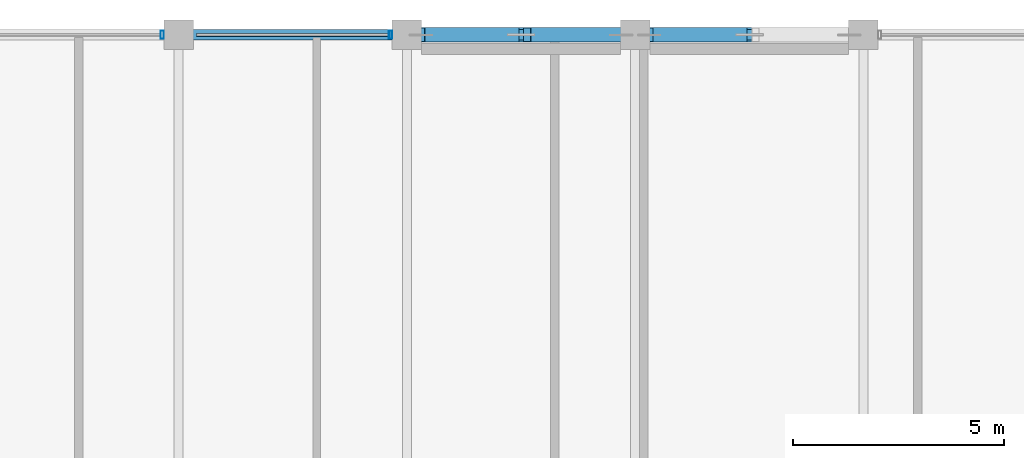
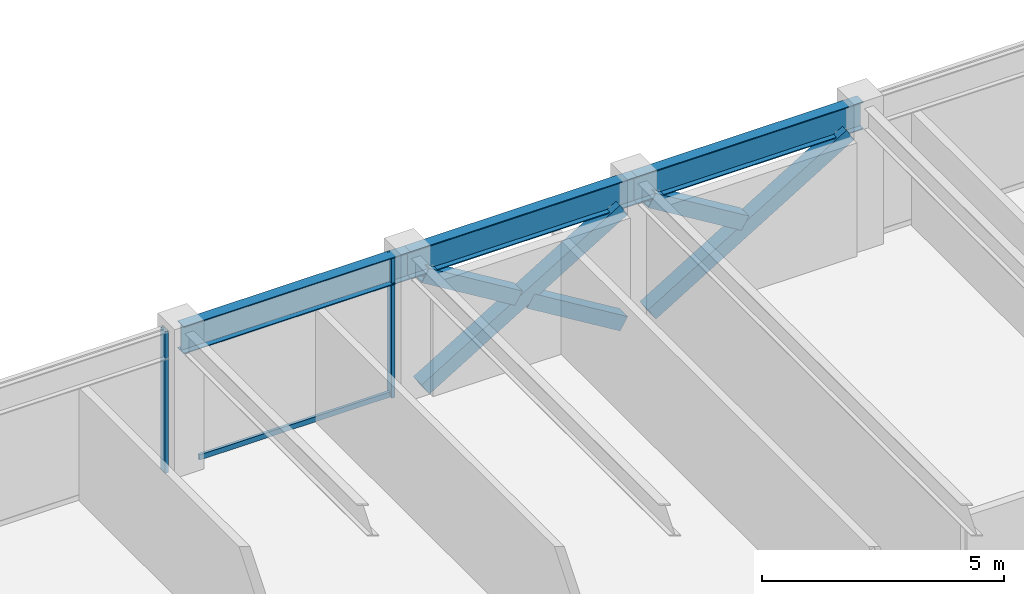
# One storey, part 17 of 30: 8 members, 3 beams, 1 element without a shape of its own.
"""IFC4 building model written with IfcOpenShell, lengths in metres."""

import ifcopenshell
import ifcopenshell.guid

model = None  # the IFC model being written
_history = None  # IfcOwnerHistory: only IFC2X3 demands one
_inside = {}  # id of a spatial element -> (the spatial element, [elements in it])
_under = {}  # id of a project, library or spatial element -> (it, [spatial elements below it])
_declared = {}  # id of a project -> (the project, [libraries it declares])
_typed = {}  # id of a type object -> (the type object, [elements of that type])
_made_of = {}  # id of a material, layer set ... -> (it, [elements and type objects made of it])


def new_model(schema):
    """Start an empty IFC model of exactly this schema.

    Asked for "IFC4X3", IfcOpenShell would pick the latest addendum, in which some entities
    have other attributes; the version numbers below select the first issue.
    IFC2X3 requires an IfcOwnerHistory on every rooted entity: one is made here for all.
    """
    global model, _history
    if schema == "IFC4X3":
        model = ifcopenshell.file(schema_version=(4, 3, 0, 0))
    else:
        model = ifcopenshell.file(schema=schema)
    _inside.clear()
    _under.clear()
    _declared.clear()
    _typed.clear()
    _made_of.clear()
    _history = None
    if model.schema == "IFC2X3":
        org = make("IfcOrganization", Name="unknown")
        user = make(
            "IfcPersonAndOrganization",
            ThePerson=make("IfcPerson", FamilyName="unknown"),
            TheOrganization=org,
        )
        app = make(
            "IfcApplication",
            ApplicationDeveloper=org,
            Version="unknown",
            ApplicationFullName="unknown",
            ApplicationIdentifier="unknown",
        )
        _history = make(
            "IfcOwnerHistory",
            OwningUser=user,
            OwningApplication=app,
            ChangeAction="ADDED",
            CreationDate=0,
        )
    return model


def make(cls, **values):
    """One entity of the class cls with the attributes given. An attribute that is None is left unset."""
    return model.create_entity(
        cls, **{name: value for name, value in values.items() if value is not None}
    )


def rooted(cls, **values):
    """An entity with a GlobalId (a new one), such as an element, a storey or a relation."""
    return make(cls, GlobalId=ifcopenshell.guid.new(), OwnerHistory=_history, **values)


def si_unit(unit_type, name, prefix=None):
    """IfcSIUnit, for example si_unit("LENGTHUNIT", "METRE", prefix="MILLI")."""
    return make("IfcSIUnit", UnitType=unit_type, Prefix=prefix, Name=name)


def assignment(units):
    """IfcUnitAssignment: the units of a project."""
    return None if units is None else make("IfcUnitAssignment", Units=units)


def point(xyz):
    """IfcCartesianPoint."""
    return None if xyz is None else make("IfcCartesianPoint", Coordinates=xyz)


def direction(xyz):
    """IfcDirection."""
    return None if xyz is None else make("IfcDirection", DirectionRatios=xyz)


def frame(location, z_axis=None, x_axis=None):
    """IfcAxis2Placement3D, a coordinate frame: its origin and axes. An axis left out is left unset."""
    return make(
        "IfcAxis2Placement3D",
        Location=point(location),
        Axis=direction(z_axis),
        RefDirection=direction(x_axis),
    )


def frame_2d(location, x_axis=None):
    """IfcAxis2Placement2D, a coordinate frame in the plane: its origin and x axis."""
    return make(
        "IfcAxis2Placement2D", Location=point(location), RefDirection=direction(x_axis)
    )


def origin():
    """The frame at (0, 0, 0) with its axes left unset."""
    return frame((0.0, 0.0, 0.0))


def origin_2d():
    """The frame at (0, 0) in the plane with its x axis left unset."""
    return frame_2d((0.0, 0.0))


def place(relative_to, where):
    """IfcLocalPlacement: puts the frame where relative to a parent placement (None: the world)."""
    return make(
        "IfcLocalPlacement", PlacementRelTo=relative_to, RelativePlacement=where
    )


def context(
    kind, dimensions, precision=None, world=None, true_north=None, identifier=None
):
    """IfcGeometricRepresentationContext, for example the 3D "Model" context."""
    return make(
        "IfcGeometricRepresentationContext",
        ContextIdentifier=identifier,
        ContextType=kind,
        CoordinateSpaceDimension=dimensions,
        Precision=precision,
        WorldCoordinateSystem=world,
        TrueNorth=true_north,
    )


def subcontext(parent, identifier, kind, view, scale=None):
    """IfcGeometricRepresentationSubContext, for example "Body" below "Model"."""
    return make(
        "IfcGeometricRepresentationSubContext",
        ContextIdentifier=identifier,
        ContextType=kind,
        ParentContext=parent,
        TargetScale=scale,
        TargetView=view,
    )


def project(units=None, contexts=None):
    """IfcProject with its units and contexts."""
    return rooted(
        "IfcProject",
        Name="project",
        RepresentationContexts=contexts,
        UnitsInContext=assignment(units),
    )


def spatial(cls, under=None, at=None, **own):
    """A site, building, storey or space (cls), placed at a placement, below another one or the project."""
    s = rooted(cls, ObjectPlacement=at, **own)
    if under is not None:
        _under.setdefault(under.id(), (under, []))[1].append(s)
    return s


def profile(cls, at=None, kind="AREA", **sizes):
    """A parametric profile (cls). Its sizes go by their IFC names, for example OverallWidth=200.0."""
    return make(cls, ProfileType=kind, Position=at, **sizes)


def hollow_rectangle(**sizes):
    """IfcRectangleHollowProfileDef."""
    return profile("IfcRectangleHollowProfileDef", **sizes)


def i_section(**sizes):
    """IfcIShapeProfileDef."""
    return profile("IfcIShapeProfileDef", **sizes)


def extrude(swept, where, along, depth):
    """IfcExtrudedAreaSolid: the profile swept, set in the frame where, extruded along a direction by depth."""
    return make(
        "IfcExtrudedAreaSolid",
        SweptArea=swept,
        Position=where,
        ExtrudedDirection=direction(along),
        Depth=depth,
    )


def shape(context_of_items, identifier, shape_type, items):
    """IfcShapeRepresentation: the items that make up one representation, for example the "Body"."""
    return make(
        "IfcShapeRepresentation",
        ContextOfItems=context_of_items,
        RepresentationIdentifier=identifier,
        RepresentationType=shape_type,
        Items=items,
    )


def material(Name=None, Category=None):
    """IfcMaterial."""
    return make("IfcMaterial", Name=Name, Category=Category)


def layer(
    of_material, thickness, ventilated=None, Name=None, Category=None, Priority=None
):
    """IfcMaterialLayer: one layer of a wall or slab, of a material (None: an air gap)."""
    return make(
        "IfcMaterialLayer",
        Material=of_material,
        LayerThickness=thickness,
        IsVentilated=ventilated,
        Name=Name,
        Category=Category,
        Priority=Priority,
    )


def layer_set(layers, Name=None):
    """IfcMaterialLayerSet."""
    return make("IfcMaterialLayerSet", MaterialLayers=layers, LayerSetName=Name)


def material_profile(
    of_material, cross_section, Name=None, Category=None, Priority=None
):
    """IfcMaterialProfile: a cross section and its material."""
    return make(
        "IfcMaterialProfile",
        Name=Name,
        Material=of_material,
        Profile=cross_section,
        Priority=Priority,
        Category=Category,
    )


def profile_set(profiles, Name=None, composite=None):
    """IfcMaterialProfileSet."""
    return make(
        "IfcMaterialProfileSet",
        Name=Name,
        MaterialProfiles=profiles,
        CompositeProfile=composite,
    )


def made_of(thing, what):
    """Note that an element or type object is made of a material, layer set ...; save() writes the relation."""
    if what is not None:
        _made_of.setdefault(what.id(), (what, []))[1].append(thing)
    return thing


def type_object(cls, material=None, **own):
    """A type object (cls), such as IfcWallType, which elements share."""
    return made_of(rooted(cls, **own), material)


def element(
    cls,
    number,
    at=None,
    inside=None,
    cuts=None,
    type_object=None,
    material=None,
    context=None,
    identifier="Body",
    shape_type=None,
    held_by="IfcProductDefinitionShape",
    body=None,
    shapes=None,
    **own,
):
    """One element of the class cls, such as IfcWall. Its Tag is "e" and its number.

    at: its placement. inside: the storey or other place that contains it. cuts: it is an
    opening in that element (IfcRelVoidsElement). A single representation is given by context,
    identifier, shape_type and body (its items); several are given by shapes. held_by: the class
    of the entity that holds the representations. save() writes the other relations.
    """
    e = rooted(cls, Tag="e%d" % number, ObjectPlacement=at, **own)
    if body is not None:
        shapes = [shape(context, identifier, shape_type, body)]
    if shapes is not None:
        e.Representation = make(held_by, Representations=shapes)
    if inside is not None:
        _inside.setdefault(inside.id(), (inside, []))[1].append(e)
    if cuts is not None:
        rooted(
            "IfcRelVoidsElement", RelatingBuildingElement=cuts, RelatedOpeningElement=e
        )
    if type_object is not None:
        _typed.setdefault(type_object.id(), (type_object, []))[1].append(e)
    return made_of(e, material)


def aggregate(whole, parts):
    """IfcRelAggregates: a whole, such as a stair, and the parts it consists of."""
    return rooted("IfcRelAggregates", RelatingObject=whole, RelatedObjects=parts)


def save(model, path):
    """Write the relations noted so far, then the file.

    IfcRelAggregates (storeys below a building ...), IfcRelContainedInSpatialStructure (elements
    in a storey), IfcRelDefinesByType, IfcRelAssociatesMaterial and IfcRelDeclares: one each for
    every whole, place, type object, material and project.
    """
    for whole, parts in _under.values():
        aggregate(whole, parts)
    for where, things in _inside.values():
        rooted(
            "IfcRelContainedInSpatialStructure",
            RelatedElements=things,
            RelatingStructure=where,
        )
    for kind, things in _typed.values():
        rooted("IfcRelDefinesByType", RelatedObjects=things, RelatingType=kind)
    for what, things in _made_of.values():
        rooted("IfcRelAssociatesMaterial", RelatedObjects=things, RelatingMaterial=what)
    for by, libraries in _declared.values():
        rooted("IfcRelDeclares", RelatingContext=by, RelatedDefinitions=libraries)
    model.write(path)


model = new_model("IFC4")

# Units and contexts
model_context = context("Model", 3, precision=1e-05, world=origin(), true_north=direction((0.0, 1.0)))
body_context = subcontext(model_context, "Body", "Model", "MODEL_VIEW")
ifc_project = project(units=[si_unit("LENGTHUNIT", "METRE"), si_unit("AREAUNIT", "SQUARE_METRE"), si_unit("VOLUMEUNIT", "CUBIC_METRE"), si_unit("PLANEANGLEUNIT", "RADIAN"), si_unit("MASSUNIT", "GRAM", prefix="KILO")], contexts=[model_context])

# Site, building, storey
site_placement = place(None, origin())
site = spatial("IfcSite", under=ifc_project, at=site_placement, CompositionType="ELEMENT")
building_placement = place(site_placement, origin())
building = spatial("IfcBuilding", under=site, at=building_placement, Name="Surkhivell Harbour Commons", CompositionType="ELEMENT")
storey_placement = place(building_placement, frame((0.0, 0.0, 303.75)))
storey = spatial("IfcBuildingStorey", under=building, at=storey_placement, Name="L79", CompositionType="ELEMENT", Elevation=303.75)

# Beams
ifc_material_1 = material(Name="Steel S355", Category="steel")
ifc_material_profile_1 = material_profile(ifc_material_1, i_section(OverallWidth=0.256103515625, OverallDepth=0.693115234375, WebThickness=0.014404296875, FlangeThickness=0.023681640625, at=origin_2d()), Name="UB686x254x170")
ifc_profile_set_1 = profile_set([ifc_material_profile_1], Name="Steel S355")
beam_type = type_object("IfcBeamType", Name="BM-SPN-686", PredefinedType="SPANDREL", material=ifc_profile_set_1)
beam_placement = place(storey_placement, frame((-10.800048828125, 25.89990234375, 3.223388671875), z_axis=(1.0, 0.0, 0.0), x_axis=(0.0, 1.0, 0.0)))
element("IfcBeam", 1, at=beam_placement, inside=storey, type_object=beam_type, Name="L79 Tube Spandrel (-10.8,25.9)", PredefinedType="SPANDREL", context=body_context, shape_type="SweptSolid", body=[
    extrude(i_section(OverallWidth=0.256103515625, OverallDepth=0.693115234375, WebThickness=0.014404296875, FlangeThickness=0.023681640625, at=origin_2d()), origin(), (0.0, 0.0, 1.0), 5.400146484375),
])
for number, where, z_axis, x_axis, name in (
    (2, (-5.39990234375, 25.89990234375, 3.223388671875), (1.0, 0.0, 0.0), (0.0, 1.0, 0.0), "L79 Tube Spandrel (-5.4,25.9)"),
    (3, (0.0, 25.89990234375, 3.223388671875), (1.0, 0.0, 0.0), (0.0, 1.0, 0.0), "L79 Tube Spandrel (-0.0,25.9)"),
):
    element("IfcBeam", number, at=place(storey_placement, frame(where, z_axis=z_axis, x_axis=x_axis)), inside=storey, type_object=beam_type, Name=name, PredefinedType="SPANDREL", context=body_context, shape_type="SweptSolid", body=[
        extrude(i_section(OverallWidth=0.256103515625, OverallDepth=0.693115234375, WebThickness=0.014404296875, FlangeThickness=0.023681640625, at=origin_2d()), origin(), (0.0, 0.0, 1.0), 5.39990234375),
    ])

# Curtain wall, members
ifc_material_2 = material(Name="Anodised pale-metal aluminium and insulated glazing", Category="aluminium")
ifc_layer = layer(ifc_material_2, 0.175048828125)
ifc_layer_set = layer_set([ifc_layer], Name="Anodised pale-metal aluminium and insulated glazing")
curtain_wall_type = type_object("IfcCurtainWallType", Name="CW-SYS-Z4", PredefinedType="NOTDEFINED", material=ifc_layer_set)
curtain_wall_placement = place(storey_placement, origin())
curtain_wall = element("IfcCurtainWall", 4, at=curtain_wall_placement, inside=storey, type_object=curtain_wall_type, Name="L79 Curtain Wall CW-L79-E07S2", PredefinedType="NOTDEFINED")
ifc_material_3 = material(Name="Anodised pale-metal aluminium alloy 6063-T6", Category="aluminium")
ifc_material_profile_2 = material_profile(ifc_material_3, hollow_rectangle(XDim=0.074951171875, YDim=0.18994140625, WallThickness=0.00390625, at=origin_2d()), Name="ALU-MULL-75x190")
ifc_profile_set_2 = profile_set([ifc_material_profile_2], Name="Anodised pale-metal aluminium alloy 6063-T6")
member_type_1 = type_object("IfcMemberType", Name="CWM-190", PredefinedType="MULLION", material=ifc_profile_set_2)
member_1_placement = place(storey_placement, frame((-5.78955078125, 25.89990234375, 0.0), z_axis=(0.0, 0.0, 1.0), x_axis=(-1.0, 0.0, 0.0)))
member_1 = element("IfcMember", 5, at=member_1_placement, type_object=member_type_1, Name="CW-Z4 mullion 1", PredefinedType="MULLION", context=body_context, shape_type="SweptSolid", body=[
    extrude(hollow_rectangle(XDim=0.074951171875, YDim=0.18994140625, WallThickness=0.00390625, at=origin_2d()), origin(), (0.0, 0.0, 1.0), 3.570068359375),
])
member_2_placement = place(storey_placement, frame((-11.189453125, 25.89990234375, 0.0), z_axis=(0.0, 0.0, 1.0), x_axis=(-1.0, 0.0, 0.0)))
member_2 = element("IfcMember", 6, at=member_2_placement, type_object=member_type_1, Name="CW-Z4 mullion 2", PredefinedType="MULLION", context=body_context, shape_type="SweptSolid", body=[
    extrude(hollow_rectangle(XDim=0.074951171875, YDim=0.18994140625, WallThickness=0.00390625, at=origin_2d()), origin(), (0.0, 0.0, 1.0), 3.570068359375),
])
ifc_material_4 = material(Name="Champagne anodised aluminium alloy 6063-T6", Category="aluminium")
ifc_material_profile_3 = material_profile(ifc_material_4, hollow_rectangle(XDim=0.070068359375, YDim=0.1298828125, WallThickness=0.00341796875, at=origin_2d()), Name="ALU-TRAN-70x130")
ifc_profile_set_3 = profile_set([ifc_material_profile_3], Name="Champagne anodised aluminium alloy 6063-T6")
member_type_2 = type_object("IfcMemberType", Name="CWT-130", PredefinedType="USERDEFINED", material=ifc_profile_set_3)
member_3_placement = place(storey_placement, frame((-5.826904296875, 25.89990234375, 0.06494140625), z_axis=(-1.0, 0.0, 0.0), x_axis=(0.0, -1.0, 0.0)))
member_3 = element("IfcMember", 7, at=member_3_placement, type_object=member_type_2, Name="CW-Z4 transom 1.1", ObjectType="TRANSOM", PredefinedType="USERDEFINED", context=body_context, shape_type="SweptSolid", body=[
    extrude(hollow_rectangle(XDim=0.070068359375, YDim=0.1298828125, WallThickness=0.00341796875, at=origin_2d()), origin(), (0.0, 0.0, 1.0), 4.546142578125),
])
aggregate(curtain_wall, [member_1, member_3, member_2])

# Members
ifc_material_profile_4 = material_profile(ifc_material_1, hollow_rectangle(XDim=0.35009765625, YDim=0.35009765625, WallThickness=0.01611328125, at=origin_2d()), Name="SHS350x350x16")
ifc_profile_set_4 = profile_set([ifc_material_profile_4], Name="Steel S355")
member_type_3 = type_object("IfcMemberType", Name="MEM-BRC-SHS350", PredefinedType="BRACE", material=ifc_profile_set_4)
member_4_placement = place(storey_placement, frame((-5.06494140625, 25.89990234375, 0.008056640625), z_axis=(0.854685454322, 0.0, 0.519146197299), x_axis=(0.0, 1.0, 0.0)))
element("IfcMember", 8, at=member_4_placement, inside=storey, type_object=member_type_3, Name="L79 Perimeter Mega-Brace MB- 01", PredefinedType="BRACE", context=body_context, shape_type="SweptSolid", body=[
    extrude(hollow_rectangle(XDim=0.35009765625, YDim=0.35009765625, WallThickness=0.01611328125, at=origin_2d()), origin(), (0.0, 0.0, 1.0), 5.5341796875),
])
for number, where, z_axis, x_axis, name in (
    (9, (-0.3349609375, 25.89990234375, 0.008056640625), (-0.854678858595, 0.0, 0.51915705588), (0.0, -1.0, 0.0), "L79 Perimeter Mega-Brace MB- 02"),
    (10, (-2.843505859375, 25.89990234375, 1.53173828125), (-0.854678858595, 0.0, 0.51915705588), (0.0, -1.0, 0.0), "L79 Perimeter Mega-Brace MB- 03"),
):
    element("IfcMember", number, at=place(storey_placement, frame(where, z_axis=z_axis, x_axis=x_axis)), inside=storey, type_object=member_type_3, Name=name, PredefinedType="BRACE", context=body_context, shape_type="SweptSolid", body=[
        extrude(hollow_rectangle(XDim=0.35009765625, YDim=0.35009765625, WallThickness=0.01611328125, at=origin_2d()), origin(), (0.0, 0.0, 1.0), 2.59912109375),
    ])
member_5_placement = place(storey_placement, frame((0.3349609375, 25.89990234375, 0.008056640625), z_axis=(0.854685454322, 0.0, 0.519146197299), x_axis=(0.0, 1.0, 0.0)))
element("IfcMember", 11, at=member_5_placement, inside=storey, type_object=member_type_3, Name="L79 Perimeter Mega-Brace MB- 04", PredefinedType="BRACE", context=body_context, shape_type="SweptSolid", body=[
    extrude(hollow_rectangle(XDim=0.35009765625, YDim=0.35009765625, WallThickness=0.01611328125, at=origin_2d()), origin(), (0.0, 0.0, 1.0), 5.5341796875),
])
member_6_placement = place(storey_placement, frame((2.556396484375, 25.89990234375, 1.53173828125), z_axis=(-0.854678858595, 0.0, 0.51915705588), x_axis=(0.0, -1.0, 0.0)))
element("IfcMember", 12, at=member_6_placement, inside=storey, type_object=member_type_3, Name="L79 Perimeter Mega-Brace MB- 06", PredefinedType="BRACE", context=body_context, shape_type="SweptSolid", body=[
    extrude(hollow_rectangle(XDim=0.35009765625, YDim=0.35009765625, WallThickness=0.01611328125, at=origin_2d()), origin(), (0.0, 0.0, 1.0), 2.59912109375),
])

save(model, "model.ifc")
